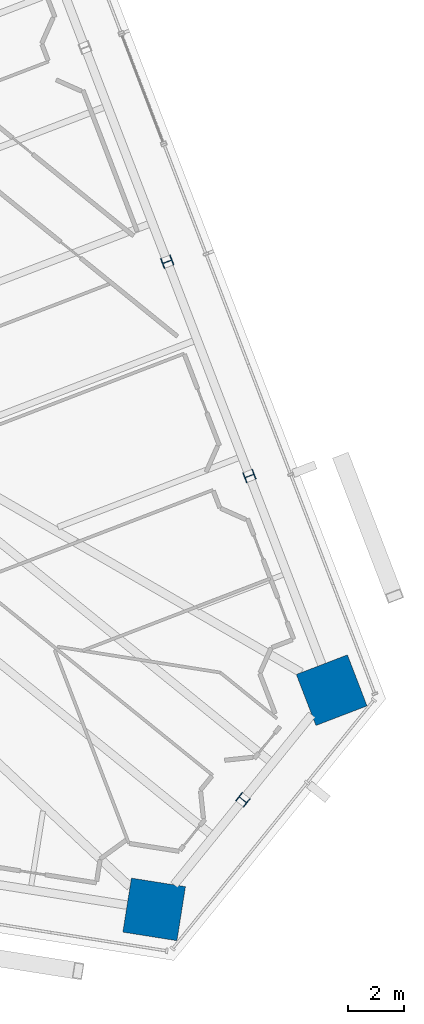
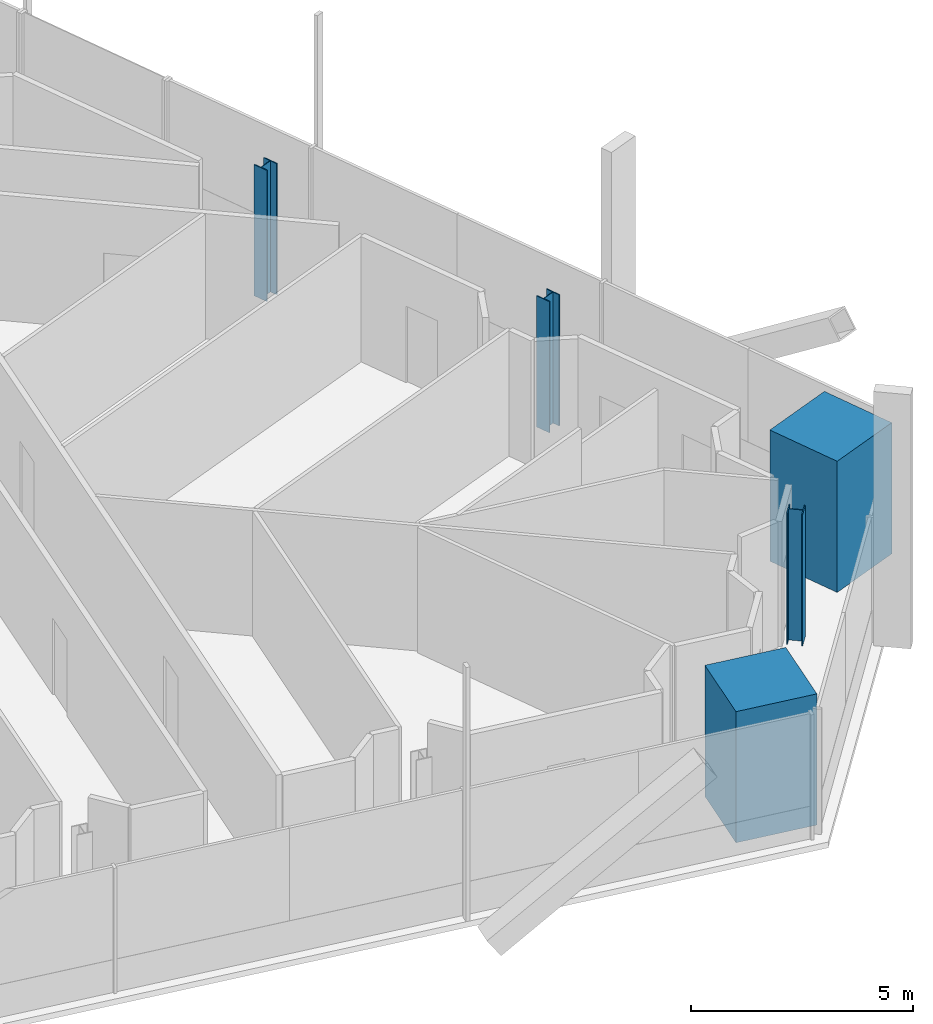
# One storey, part 2 of 23: 5 columns.
"""IFC4 building model written with IfcOpenShell, lengths in metres."""

from ifc_helpers import new_model, si_unit, direction, frame, origin, origin_2d, place, context, subcontext, project, spatial, rectangle, i_section, extrude, source, transform, mapped, material, material_profile, profile_set, type_object, element, save


model = new_model("IFC4")

# Units and contexts
model_context = context("Model", 3, precision=1e-05, world=origin(), true_north=direction((0.0, 1.0)))
body_context = subcontext(model_context, "Body", "Model", "MODEL_VIEW")
ifc_project = project(units=[si_unit("LENGTHUNIT", "METRE"), si_unit("AREAUNIT", "SQUARE_METRE"), si_unit("VOLUMEUNIT", "CUBIC_METRE"), si_unit("PLANEANGLEUNIT", "RADIAN"), si_unit("MASSUNIT", "GRAM", prefix="KILO")], contexts=[model_context])

# Site, building, storey
site_placement = place(None, origin())
site = spatial("IfcSite", under=ifc_project, at=site_placement, CompositionType="ELEMENT")
building_placement = place(site_placement, origin())
building = spatial("IfcBuilding", under=site, at=building_placement, Name="Triune Harvest Tower", CompositionType="ELEMENT")
storey_placement = place(building_placement, frame((0.0, 0.0, 167.699951171875)))
storey = spatial("IfcBuildingStorey", under=building, at=storey_placement, Name="L43", CompositionType="ELEMENT", Elevation=167.699951171875)

# Columns
ifc_material_1 = material(Name="Concrete 70 MPa", Category="concrete")
ifc_material_profile_1 = material_profile(ifc_material_1, rectangle(XDim=1.949951171875, YDim=1.949951171875, at=origin_2d()), Name="Composite 1950x1950")
ifc_profile_set_1 = profile_set([ifc_material_profile_1], Name="Concrete 70 MPa")
column_type_1 = type_object("IfcColumnType", Name="MC-4 Mega column Composite 1950x1950", PredefinedType="COLUMN", material=ifc_profile_set_1)
shared_shape_1 = source(origin(), body_context, "Body", "SweptSolid", [
    extrude(rectangle(XDim=1.949951171875, YDim=1.949951171875, at=origin_2d()), origin(), (0.0, 0.0, 1.0), 3.60009765625),
])
for number, where, z_axis, x_axis, name in (
    (1, (27.425048828125, -15.742431640625, 0.0), (0.0, 0.0, 1.0), (-0.358367949545, 0.933580426497, 0.0), "col/L43/M0"),
    (2, (21.100341796875, -23.552734375, 0.0), (0.0, 0.0, 1.0), (0.987688340595, -0.15643446504, 0.0), "col/L43/M22"),
):
    element("IfcColumn", number, at=place(storey_placement, frame(where, z_axis=z_axis, x_axis=x_axis)), inside=storey, type_object=column_type_1, Name=name, PredefinedType="COLUMN", context=body_context, shape_type="MappedRepresentation", body=[
        mapped(shared_shape_1, transform((0.0, 0.0, 0.0), scale=1.0)),
    ])
ifc_material_2 = material(Name="Steel ASTM A992 Gr 50", Category="steel")
ifc_material_profile_2 = material_profile(ifc_material_2, i_section(OverallWidth=0.373291015625, OverallDepth=0.373291015625, WebThickness=0.016357421875, FlangeThickness=0.026123046875, at=origin_2d()), Name="W14x132")
ifc_profile_set_2 = profile_set([ifc_material_profile_2], Name="Steel ASTM A992 Gr 50")
column_type_2 = type_object("IfcColumnType", Name="PC-4 Perimeter column W14x132", PredefinedType="COLUMN", material=ifc_profile_set_2)
shared_shape_2 = source(origin(), body_context, "Body", "SweptSolid", [
    extrude(i_section(OverallWidth=0.373291015625, OverallDepth=0.373291015625, WebThickness=0.016357421875, FlangeThickness=0.026123046875, at=origin_2d()), origin(), (0.0, 0.0, 1.0), 3.60009765625),
])
for number, where, z_axis, x_axis, name in (
    (3, (24.495361328125, -8.1103515625, 0.0), (0.0, 0.0, 1.0), (-0.358367949545, 0.933580426497, 0.0), "col/L43/P1"),
    (4, (21.565673828125, -0.478271484375, 0.0), (0.0, 0.0, 1.0), (-0.358367949545, 0.933580426497, 0.0), "col/L43/P2"),
    (5, (24.2626953125, -19.647705078125, 1.199951171875), (0.0, 0.0, 1.0), (0.629321747424, 0.777144863084, 0.0), "col/L43/P23"),
):
    element("IfcColumn", number, at=place(storey_placement, frame(where, z_axis=z_axis, x_axis=x_axis)), inside=storey, type_object=column_type_2, Name=name, PredefinedType="COLUMN", context=body_context, shape_type="MappedRepresentation", body=[
        mapped(shared_shape_2, transform((0.0, 0.0, 0.0), scale=1.0)),
    ])

save(model, "model.ifc")
